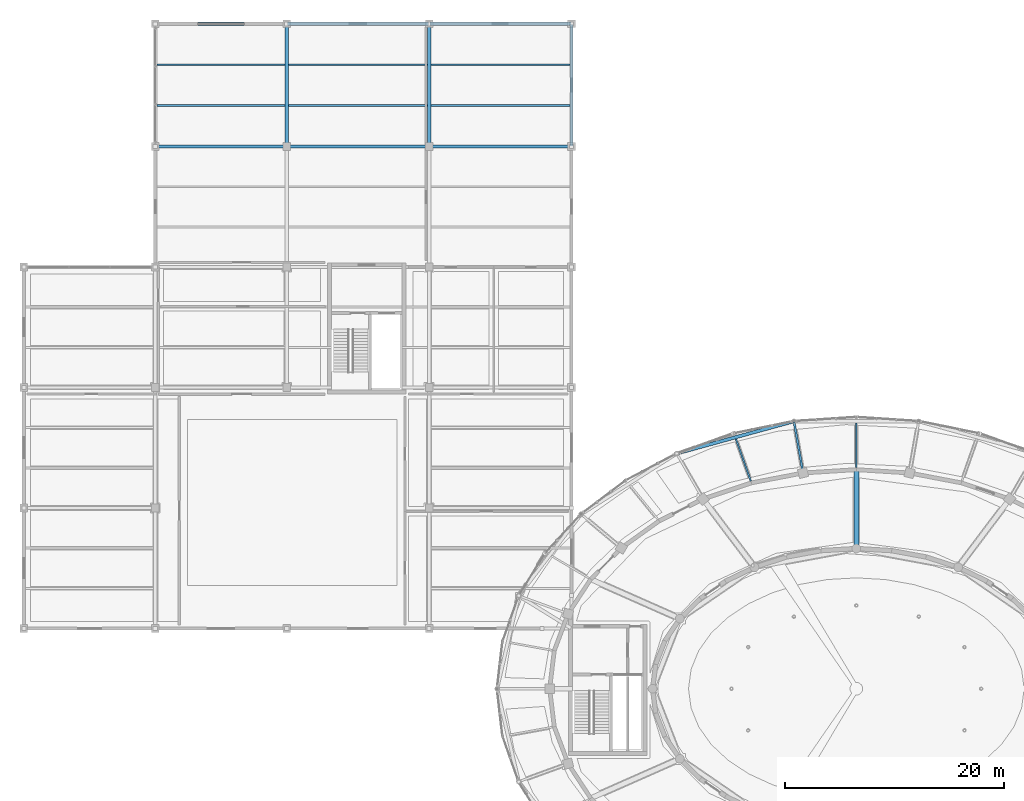
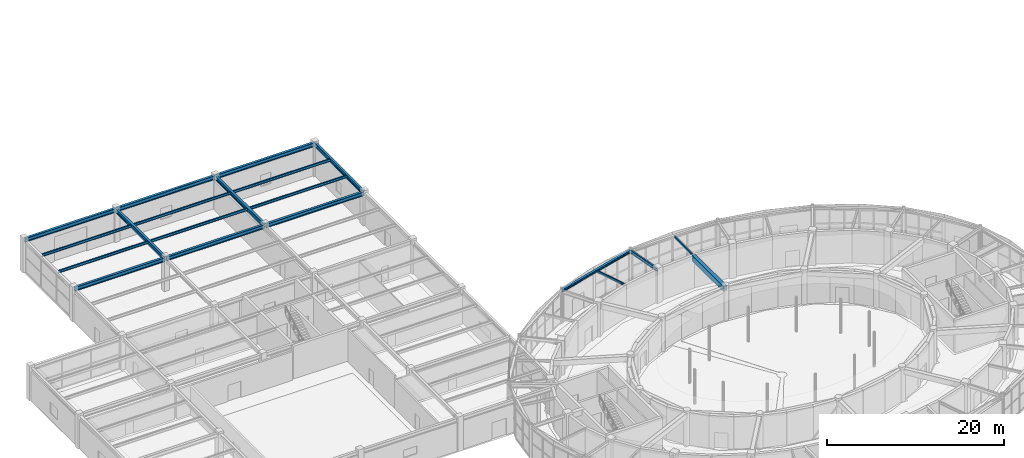
# One storey, part 54 of 108: 20 beams.
"""IFC4 building model written with IfcOpenShell, lengths in metres."""

from ifc_helpers import new_model, si_unit, direction, frame, origin, origin_2d, place, context, subcontext, project, spatial, rectangle, i_section, extrude, material, material_profile, profile_set, type_object, element, save


model = new_model("IFC4")

# Units and contexts
model_context = context("Model", 3, precision=1e-05, world=origin(), true_north=direction((0.0, 1.0)))
body_context = subcontext(model_context, "Body", "Model", "MODEL_VIEW")
ifc_project = project(units=[si_unit("LENGTHUNIT", "METRE"), si_unit("AREAUNIT", "SQUARE_METRE"), si_unit("VOLUMEUNIT", "CUBIC_METRE"), si_unit("PLANEANGLEUNIT", "RADIAN"), si_unit("MASSUNIT", "GRAM", prefix="KILO")], contexts=[model_context])

# Site, building, storey
site_placement = place(None, origin())
site = spatial("IfcSite", under=ifc_project, at=site_placement, CompositionType="ELEMENT")
building_placement = place(site_placement, origin())
building = spatial("IfcBuilding", under=site, at=building_placement, Name="Tarnveldt Headland Concert Hall", CompositionType="ELEMENT")
storey_placement = place(building_placement, origin())
storey = spatial("IfcBuildingStorey", under=building, at=storey_placement, Name="L00", CompositionType="ELEMENT", Elevation=0.0)

# Beams
ifc_material_1 = material(Name="Concrete C40/50", Category="concrete")
ifc_material_profile_1 = material_profile(ifc_material_1, rectangle(XDim=0.449951171875, YDim=0.75, at=origin_2d()), Name="RC 450x750", Category="concrete")
ifc_profile_set_1 = profile_set([ifc_material_profile_1], Name="Concrete C40/50")
beam_type_1 = type_object("IfcBeamType", Name="CB-450x750", PredefinedType="BEAM", material=ifc_profile_set_1)
beam_1_placement = place(storey_placement, frame((83.5, 67.340087890625, 4.14501953125), z_axis=(0.0, 1.0, 0.0), x_axis=(-1.0, 0.0, 0.0)))
element("IfcBeam", 1, at=beam_1_placement, inside=storey, type_object=beam_type_1, Name="Framing beam L00-406", PredefinedType="BEAM", context=body_context, shape_type="SweptSolid", body=[
    extrude(rectangle(XDim=0.449951171875, YDim=0.75, at=origin_2d()), origin(), (0.0, 0.0, 1.0), 7.119873046875),
])
ifc_material_2 = material(Name="Steel S355", Category="steel")
ifc_material_profile_2 = material_profile(ifc_material_2, i_section(OverallWidth=0.300048828125, OverallDepth=0.35009765625, WebThickness=0.010009765625, FlangeThickness=0.017578125, FilletRadius=0.027099609375, at=origin_2d()), Name="HEA360", Category="steel")
ifc_profile_set_2 = profile_set([ifc_material_profile_2], Name="Steel S355")
beam_type_2 = type_object("IfcBeamType", Name="SB-HEA360", PredefinedType="SPANDREL", material=ifc_profile_set_2)
beam_2_placement = place(storey_placement, frame((77.74658203125, 78.9072265625, 4.344970703125), z_axis=(-0.964161617091, -0.265315616065, 0.0), x_axis=(0.265315616065, -0.964161617091, 0.0)))
element("IfcBeam", 2, at=beam_2_placement, inside=storey, type_object=beam_type_2, Name="Framing beam L00-362", PredefinedType="SPANDREL", context=body_context, shape_type="SweptSolid", body=[
    extrude(i_section(OverallWidth=0.300048828125, OverallDepth=0.35009765625, WebThickness=0.010009765625, FlangeThickness=0.017578125, FilletRadius=0.027099609375, at=origin_2d()), origin(), (0.0, 0.0, 1.0), 10.982421875),
])
ifc_material_profile_3 = material_profile(ifc_material_2, i_section(OverallWidth=0.300048828125, OverallDepth=0.550048828125, WebThickness=0.014892578125, FlangeThickness=0.029052734375, FilletRadius=0.027099609375, at=origin_2d()), Name="HEB550", Category="steel")
ifc_profile_set_3 = profile_set([ifc_material_profile_3], Name="Steel S355")
beam_type_3 = type_object("IfcBeamType", Name="SB-HEB550", PredefinedType="BEAM", material=ifc_profile_set_3)
beam_3_placement = place(storey_placement, frame((19.56005859375, 104.0, 4.2451171875), z_axis=(1.0, 0.0, 0.0), x_axis=(0.0, 1.0, 0.0)))
element("IfcBeam", 3, at=beam_3_placement, inside=storey, type_object=beam_type_3, Name="Framing beam L00-621", PredefinedType="BEAM", context=body_context, shape_type="SweptSolid", body=[
    extrude(i_section(OverallWidth=0.300048828125, OverallDepth=0.550048828125, WebThickness=0.014892578125, FlangeThickness=0.029052734375, FilletRadius=0.027099609375, at=origin_2d()), origin(), (0.0, 0.0, 1.0), 11.8798828125),
])
for number, where, z_axis, x_axis, name in (
    (4, (31.56005859375, 104.0, 4.2451171875), (1.0, 0.0, 0.0), (0.0, 1.0, 0.0), "Framing beam L00-622"),
    (5, (44.56005859375, 104.0, 4.2451171875), (1.0, 0.0, 0.0), (0.0, 1.0, 0.0), "Framing beam L00-623"),
):
    element("IfcBeam", number, at=place(storey_placement, frame(where, z_axis=z_axis, x_axis=x_axis)), inside=storey, type_object=beam_type_3, Name=name, PredefinedType="BEAM", context=body_context, shape_type="SweptSolid", body=[
        extrude(i_section(OverallWidth=0.300048828125, OverallDepth=0.550048828125, WebThickness=0.014892578125, FlangeThickness=0.029052734375, FilletRadius=0.027099609375, at=origin_2d()), origin(), (0.0, 0.0, 1.0), 12.8798828125),
    ])
beam_4_placement = place(storey_placement, frame((19.56005859375, 115.199951171875, 4.2451171875), z_axis=(1.0, 0.0, 0.0), x_axis=(0.0, 1.0, 0.0)))
element("IfcBeam", 6, at=beam_4_placement, inside=storey, type_object=beam_type_3, Name="Framing beam L00-624", PredefinedType="BEAM", context=body_context, shape_type="SweptSolid", body=[
    extrude(i_section(OverallWidth=0.300048828125, OverallDepth=0.550048828125, WebThickness=0.014892578125, FlangeThickness=0.029052734375, FilletRadius=0.027099609375, at=origin_2d()), origin(), (0.0, 0.0, 1.0), 11.8798828125),
])
for number, where, z_axis, x_axis, name in (
    (7, (31.56005859375, 115.199951171875, 4.2451171875), (1.0, 0.0, 0.0), (0.0, 1.0, 0.0), "Framing beam L00-625"),
    (8, (44.56005859375, 115.199951171875, 4.2451171875), (1.0, 0.0, 0.0), (0.0, 1.0, 0.0), "Framing beam L00-626"),
):
    element("IfcBeam", number, at=place(storey_placement, frame(where, z_axis=z_axis, x_axis=x_axis)), inside=storey, type_object=beam_type_3, Name=name, PredefinedType="BEAM", context=body_context, shape_type="SweptSolid", body=[
        extrude(i_section(OverallWidth=0.300048828125, OverallDepth=0.550048828125, WebThickness=0.014892578125, FlangeThickness=0.029052734375, FilletRadius=0.027099609375, at=origin_2d()), origin(), (0.0, 0.0, 1.0), 12.8798828125),
    ])
for number, where, z_axis, x_axis, name in (
    (9, (31.5, 104.06005859375, 4.2451171875), (0.0, 1.0, 0.0), (-1.0, 0.0, 0.0), "Framing beam L00-654"),
    (10, (44.5, 104.06005859375, 4.2451171875), (0.0, 1.0, 0.0), (-1.0, 0.0, 0.0), "Framing beam L00-669"),
    (11, (57.5, 104.06005859375, 4.2451171875), (0.0, 1.0, 0.0), (-1.0, 0.0, 0.0), "Framing beam L00-676"),
):
    element("IfcBeam", number, at=place(storey_placement, frame(where, z_axis=z_axis, x_axis=x_axis)), inside=storey, type_object=beam_type_3, Name=name, PredefinedType="BEAM", context=body_context, shape_type="SweptSolid", body=[
        extrude(i_section(OverallWidth=0.300048828125, OverallDepth=0.550048828125, WebThickness=0.014892578125, FlangeThickness=0.029052734375, FilletRadius=0.027099609375, at=origin_2d()), origin(), (0.0, 0.0, 1.0), 11.079833984375),
    ])
ifc_material_profile_4 = material_profile(ifc_material_2, i_section(OverallWidth=0.14990234375, OverallDepth=0.300048828125, WebThickness=0.007080078125, FlangeThickness=0.0107421875, FilletRadius=0.014892578125, at=origin_2d()), Name="IPE300", Category="steel")
ifc_profile_set_4 = profile_set([ifc_material_profile_4], Name="Steel S355")
beam_type_4 = type_object("IfcBeamType", Name="SB-IPE300", PredefinedType="JOIST", material=ifc_profile_set_4)
beam_5_placement = place(storey_placement, frame((83.5, 74.675048828125, 4.3701171875), z_axis=(0.0, 1.0, 0.0), x_axis=(-1.0, 0.0, 0.0)))
element("IfcBeam", 12, at=beam_5_placement, inside=storey, type_object=beam_type_4, Name="Framing beam L00-361", PredefinedType="JOIST", context=body_context, shape_type="SweptSolid", body=[
    extrude(i_section(OverallWidth=0.14990234375, OverallDepth=0.300048828125, WebThickness=0.007080078125, FlangeThickness=0.0107421875, FilletRadius=0.014892578125, at=origin_2d()), origin(), (0.0, 0.0, 1.0), 4.09814453125),
])
beam_6_placement = place(storey_placement, frame((73.864990234375, 73.458984375, 4.3701171875), z_axis=(-0.33369553072, 0.942680907188, 0.0), x_axis=(-0.942680907188, -0.33369553072, 0.0)))
element("IfcBeam", 13, at=beam_6_placement, inside=storey, type_object=beam_type_4, Name="Framing beam L00-364", PredefinedType="JOIST", context=body_context, shape_type="SweptSolid", body=[
    extrude(i_section(OverallWidth=0.14990234375, OverallDepth=0.300048828125, WebThickness=0.007080078125, FlangeThickness=0.0107421875, FilletRadius=0.014892578125, at=origin_2d()), origin(), (0.0, 0.0, 1.0), 4.083984375),
])
ifc_material_profile_5 = material_profile(ifc_material_2, i_section(OverallWidth=0.169921875, OverallDepth=0.360107421875, WebThickness=0.008056640625, FlangeThickness=0.0126953125, FilletRadius=0.01806640625, at=origin_2d()), Name="IPE360", Category="steel")
ifc_profile_set_5 = profile_set([ifc_material_profile_5], Name="Steel S355")
beam_type_5 = type_object("IfcBeamType", Name="SB-IPE360", PredefinedType="JOIST", material=ifc_profile_set_5)
for number, where, z_axis, x_axis, name in (
    (14, (19.64990234375, 107.73291015625, 4.340087890625), (1.0, 0.0, 0.0), (0.0, 1.0, 0.0), "Framing beam L00-645"),
    (15, (19.64990234375, 111.467041015625, 4.340087890625), (1.0, 0.0, 0.0), (0.0, 1.0, 0.0), "Framing beam L00-646"),
):
    element("IfcBeam", number, at=place(storey_placement, frame(where, z_axis=z_axis, x_axis=x_axis)), inside=storey, type_object=beam_type_5, Name=name, PredefinedType="JOIST", context=body_context, shape_type="SweptSolid", body=[
        extrude(i_section(OverallWidth=0.169921875, OverallDepth=0.360107421875, WebThickness=0.008056640625, FlangeThickness=0.0126953125, FilletRadius=0.01806640625, at=origin_2d()), origin(), (0.0, 0.0, 1.0), 11.7001953125),
    ])
for number, where, z_axis, x_axis, name in (
    (16, (31.64990234375, 107.73291015625, 4.340087890625), (1.0, 0.0, 0.0), (0.0, 1.0, 0.0), "Framing beam L00-655"),
    (17, (31.64990234375, 111.467041015625, 4.340087890625), (1.0, 0.0, 0.0), (0.0, 1.0, 0.0), "Framing beam L00-656"),
    (18, (44.64990234375, 107.73291015625, 4.340087890625), (1.0, 0.0, 0.0), (0.0, 1.0, 0.0), "Framing beam L00-670"),
    (19, (44.64990234375, 111.467041015625, 4.340087890625), (1.0, 0.0, 0.0), (0.0, 1.0, 0.0), "Framing beam L00-671"),
):
    element("IfcBeam", number, at=place(storey_placement, frame(where, z_axis=z_axis, x_axis=x_axis)), inside=storey, type_object=beam_type_5, Name=name, PredefinedType="JOIST", context=body_context, shape_type="SweptSolid", body=[
        extrude(i_section(OverallWidth=0.169921875, OverallDepth=0.360107421875, WebThickness=0.008056640625, FlangeThickness=0.0126953125, FilletRadius=0.01806640625, at=origin_2d()), origin(), (0.0, 0.0, 1.0), 12.7001953125),
    ])
ifc_material_profile_6 = material_profile(ifc_material_2, i_section(OverallWidth=0.18994140625, OverallDepth=0.449951171875, WebThickness=0.009521484375, FlangeThickness=0.0146484375, FilletRadius=0.02099609375, at=origin_2d()), Name="IPE450", Category="steel")
ifc_profile_set_6 = profile_set([ifc_material_profile_6], Name="Steel S355")
beam_type_6 = type_object("IfcBeamType", Name="SB-IPE450", PredefinedType="BEAM", material=ifc_profile_set_6)
beam_7_placement = place(storey_placement, frame((78.631103515625, 74.235595703125, 4.294921875), z_axis=(-0.173708285572, 0.984797152475, 0.0), x_axis=(-0.984797152475, -0.173708285572, 0.0)))
element("IfcBeam", 20, at=beam_7_placement, inside=storey, type_object=beam_type_6, Name="Framing beam L00-363", PredefinedType="BEAM", context=body_context, shape_type="SweptSolid", body=[
    extrude(i_section(OverallWidth=0.18994140625, OverallDepth=0.449951171875, WebThickness=0.009521484375, FlangeThickness=0.0146484375, FilletRadius=0.02099609375, at=origin_2d()), origin(), (0.0, 0.0, 1.0), 4.699951171875),
])

save(model, "model.ifc")
